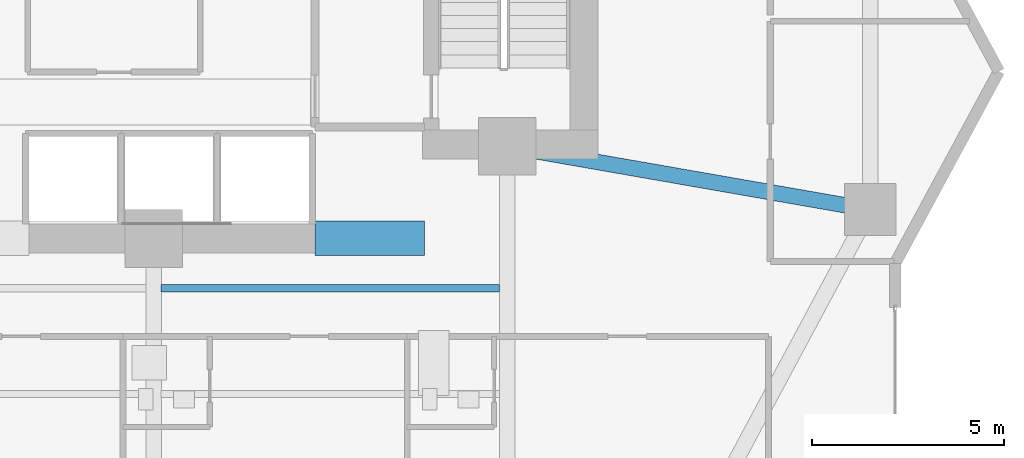
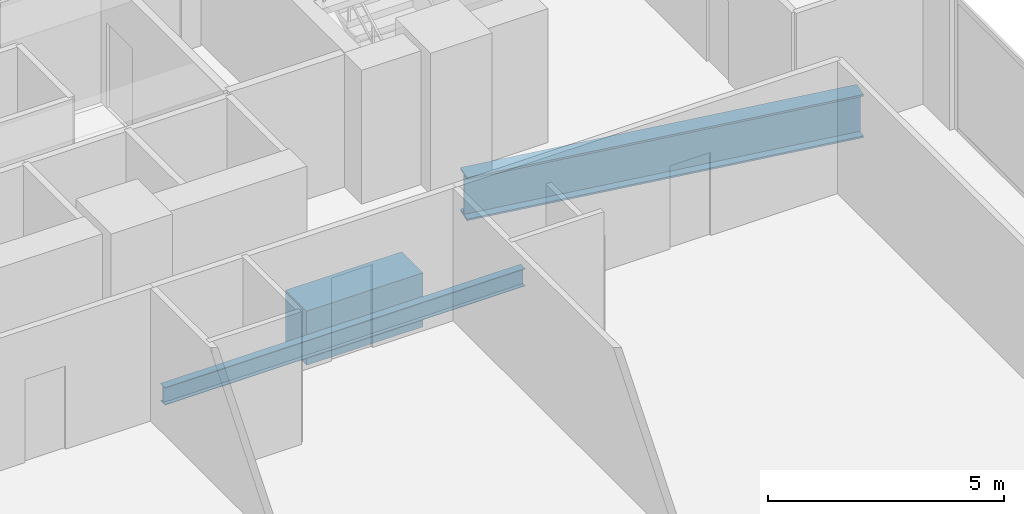
# One storey, part 12 of 29: 3 beams.
"""IFC4 building model written with IfcOpenShell, lengths in metres."""

from ifc_helpers import new_model, si_unit, direction, frame, origin, origin_2d, place, context, subcontext, project, spatial, rectangle, i_section, extrude, material, material_profile, profile_set, type_object, element, save


model = new_model("IFC4")

# Units and contexts
model_context = context("Model", 3, precision=1e-05, world=origin(), true_north=direction((0.0, 1.0)))
body_context = subcontext(model_context, "Body", "Model", "MODEL_VIEW")
ifc_project = project(units=[si_unit("LENGTHUNIT", "METRE"), si_unit("AREAUNIT", "SQUARE_METRE"), si_unit("VOLUMEUNIT", "CUBIC_METRE"), si_unit("PLANEANGLEUNIT", "RADIAN"), si_unit("MASSUNIT", "GRAM", prefix="KILO")], contexts=[model_context])

# Site, building, storey
site_placement = place(None, origin())
site = spatial("IfcSite", under=ifc_project, at=site_placement, CompositionType="ELEMENT")
building_placement = place(site_placement, origin())
building = spatial("IfcBuilding", under=site, at=building_placement, Name="Zuhayl Quay Hotel", CompositionType="ELEMENT")
storey_placement = place(building_placement, frame((0.0, 0.0, 95.64990234375)))
storey = spatial("IfcBuildingStorey", under=building, at=storey_placement, Name="L23", CompositionType="ELEMENT", Elevation=95.64990234375)

# Beams
ifc_material_1 = material(Name="Concrete C60/75", Category="concrete")
ifc_material_profile_1 = material_profile(ifc_material_1, rectangle(XDim=0.89990234375, YDim=1.39990234375, at=origin_2d()), Name="RC900X1400")
ifc_profile_set_1 = profile_set([ifc_material_profile_1], Name="Concrete C60/75")
beam_type_1 = type_object("IfcBeamType", Name="BM_CB1_RC900", PredefinedType="T_BEAM", material=ifc_profile_set_1)
beam_1_placement = place(storey_placement, frame((8.800048828125, 2.14990234375, -0.9599609375), z_axis=(1.0, 0.0, 0.0), x_axis=(0.0, 1.0, 0.0)))
element("IfcBeam", 1, at=beam_1_placement, inside=storey, type_object=beam_type_1, Name="L23 Core Coupling Beam SE", PredefinedType="T_BEAM", context=body_context, shape_type="SweptSolid", body=[
    extrude(rectangle(XDim=0.89990234375, YDim=1.39990234375, at=origin_2d()), origin(), (0.0, 0.0, 1.0), 2.849853515625),
])
ifc_material_2 = material(Name="Steel ASTM A992 Grade 50", Category="steel")
ifc_material_profile_2 = material_profile(ifc_material_2, i_section(OverallWidth=0.18994140625, OverallDepth=0.45703125, WebThickness=0.009033203125, FlangeThickness=0.014404296875, at=origin_2d()), Name="W18X50")
ifc_profile_set_2 = profile_set([ifc_material_profile_2], Name="Steel ASTM A992 Grade 50")
beam_type_2 = type_object("IfcBeamType", Name="BM_J2_W18X50", PredefinedType="JOIST", material=ifc_profile_set_2)
beam_2_placement = place(storey_placement, frame((4.7939453125, 0.85009765625, -0.48828125), z_axis=(1.0, 0.0, 0.0), x_axis=(0.0, 1.0, 0.0)))
element("IfcBeam", 2, at=beam_2_placement, inside=storey, type_object=beam_type_2, Name="L23 Floor Beam FJ_L23_9_3", PredefinedType="JOIST", context=body_context, shape_type="SweptSolid", body=[
    extrude(i_section(OverallWidth=0.18994140625, OverallDepth=0.45703125, WebThickness=0.009033203125, FlangeThickness=0.014404296875, at=origin_2d()), origin(), (0.0, 0.0, 1.0), 8.81201171875),
])
ifc_material_3 = material(Name="Steel ASTM A913 Grade 65", Category="steel")
ifc_material_profile_3 = material_profile(ifc_material_3, i_section(OverallWidth=0.404052734375, OverallDepth=1.117919921875, WebThickness=0.026123046875, FlangeThickness=0.044921875, at=origin_2d()), Name="W44X335")
ifc_profile_set_3 = profile_set([ifc_material_profile_3], Name="Steel ASTM A913 Grade 65")
beam_type_3 = type_object("IfcBeamType", Name="BM_TG1_W44X335", PredefinedType="BEAM", material=ifc_profile_set_3)
beam_3_placement = place(storey_placement, frame((14.243408203125, 4.47265625, -0.81884765625), z_axis=(0.985093907206, -0.172017423493, 0.0), x_axis=(0.172017423493, 0.985093907206, 0.0)))
element("IfcBeam", 3, at=beam_3_placement, inside=storey, type_object=beam_type_3, Name="L23 Floor Beam FG_E_L23_1", PredefinedType="BEAM", context=body_context, shape_type="SweptSolid", body=[
    extrude(i_section(OverallWidth=0.404052734375, OverallDepth=1.117919921875, WebThickness=0.026123046875, FlangeThickness=0.044921875, at=origin_2d()), origin(), (0.0, 0.0, 1.0), 8.94287109375),
])

save(model, "model.ifc")
